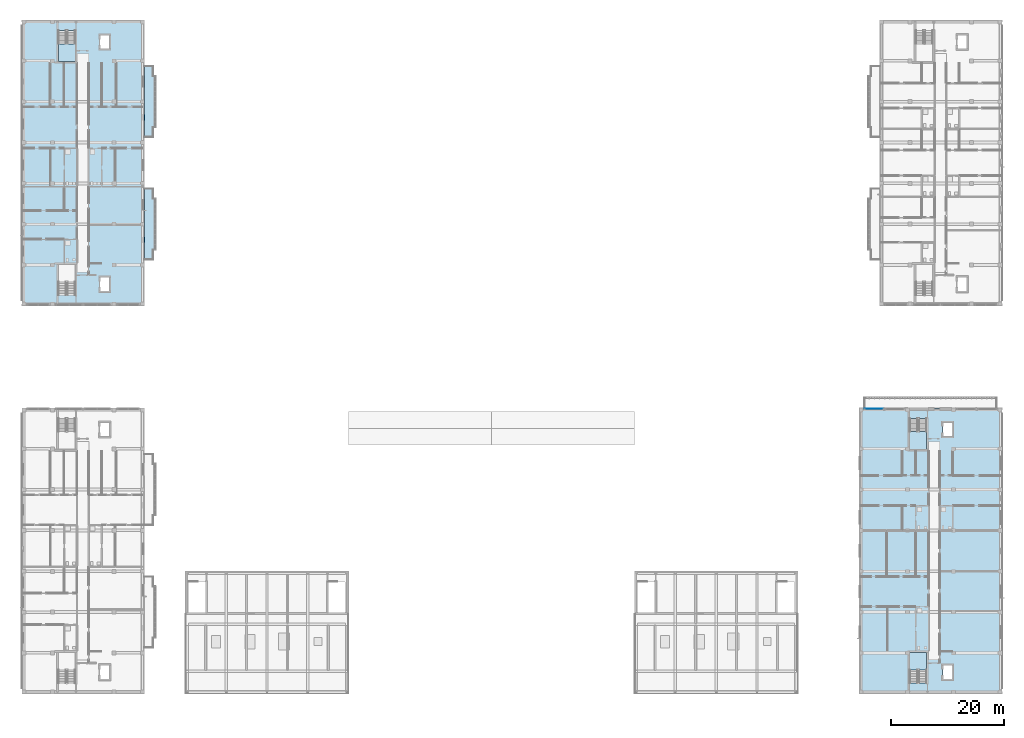
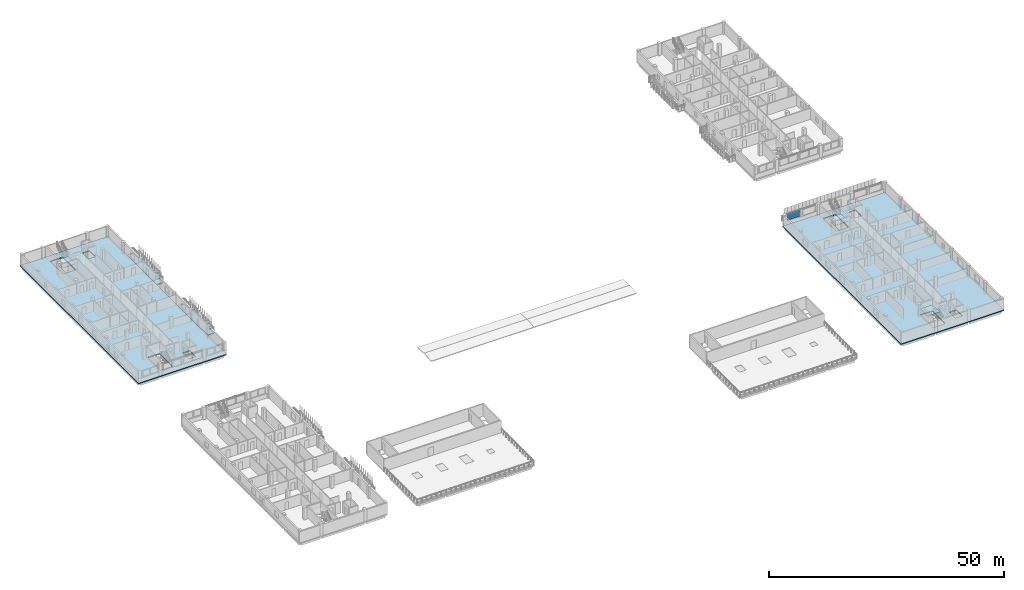
# One storey, part 23 of 56: 7 slabs, 1 plate, 4 elements without a shape of their own.
"""IFC4 building model written with IfcOpenShell, lengths in metres."""

import ifcopenshell
import ifcopenshell.guid

model = None  # the IFC model being written
_history = None  # IfcOwnerHistory: only IFC2X3 demands one
_inside = {}  # id of a spatial element -> (the spatial element, [elements in it])
_under = {}  # id of a project, library or spatial element -> (it, [spatial elements below it])
_declared = {}  # id of a project -> (the project, [libraries it declares])
_typed = {}  # id of a type object -> (the type object, [elements of that type])
_made_of = {}  # id of a material, layer set ... -> (it, [elements and type objects made of it])


def new_model(schema):
    """Start an empty IFC model of exactly this schema.

    Asked for "IFC4X3", IfcOpenShell would pick the latest addendum, in which some entities
    have other attributes; the version numbers below select the first issue.
    IFC2X3 requires an IfcOwnerHistory on every rooted entity: one is made here for all.
    """
    global model, _history
    if schema == "IFC4X3":
        model = ifcopenshell.file(schema_version=(4, 3, 0, 0))
    else:
        model = ifcopenshell.file(schema=schema)
    _inside.clear()
    _under.clear()
    _declared.clear()
    _typed.clear()
    _made_of.clear()
    _history = None
    if model.schema == "IFC2X3":
        org = make("IfcOrganization", Name="unknown")
        user = make(
            "IfcPersonAndOrganization",
            ThePerson=make("IfcPerson", FamilyName="unknown"),
            TheOrganization=org,
        )
        app = make(
            "IfcApplication",
            ApplicationDeveloper=org,
            Version="unknown",
            ApplicationFullName="unknown",
            ApplicationIdentifier="unknown",
        )
        _history = make(
            "IfcOwnerHistory",
            OwningUser=user,
            OwningApplication=app,
            ChangeAction="ADDED",
            CreationDate=0,
        )
    return model


def make(cls, **values):
    """One entity of the class cls with the attributes given. An attribute that is None is left unset."""
    return model.create_entity(
        cls, **{name: value for name, value in values.items() if value is not None}
    )


def rooted(cls, **values):
    """An entity with a GlobalId (a new one), such as an element, a storey or a relation."""
    return make(cls, GlobalId=ifcopenshell.guid.new(), OwnerHistory=_history, **values)


def si_unit(unit_type, name, prefix=None):
    """IfcSIUnit, for example si_unit("LENGTHUNIT", "METRE", prefix="MILLI")."""
    return make("IfcSIUnit", UnitType=unit_type, Prefix=prefix, Name=name)


def derived_unit(unit_type, elements):
    """IfcDerivedUnit: a product of units, each with its exponent."""
    return make(
        "IfcDerivedUnit",
        Elements=[
            make("IfcDerivedUnitElement", Unit=unit, Exponent=power)
            for unit, power in elements
        ],
        UnitType=unit_type,
    )


def assignment(units):
    """IfcUnitAssignment: the units of a project."""
    return None if units is None else make("IfcUnitAssignment", Units=units)


def point(xyz):
    """IfcCartesianPoint."""
    return None if xyz is None else make("IfcCartesianPoint", Coordinates=xyz)


def direction(xyz):
    """IfcDirection."""
    return None if xyz is None else make("IfcDirection", DirectionRatios=xyz)


def frame(location, z_axis=None, x_axis=None):
    """IfcAxis2Placement3D, a coordinate frame: its origin and axes. An axis left out is left unset."""
    return make(
        "IfcAxis2Placement3D",
        Location=point(location),
        Axis=direction(z_axis),
        RefDirection=direction(x_axis),
    )


def frame_2d(location, x_axis=None):
    """IfcAxis2Placement2D, a coordinate frame in the plane: its origin and x axis."""
    return make(
        "IfcAxis2Placement2D", Location=point(location), RefDirection=direction(x_axis)
    )


def origin():
    """The frame at (0, 0, 0) with its axes left unset."""
    return frame((0.0, 0.0, 0.0))


def origin_2d():
    """The frame at (0, 0) in the plane with its x axis left unset."""
    return frame_2d((0.0, 0.0))


def place(relative_to, where):
    """IfcLocalPlacement: puts the frame where relative to a parent placement (None: the world)."""
    return make(
        "IfcLocalPlacement", PlacementRelTo=relative_to, RelativePlacement=where
    )


def context(
    kind, dimensions, precision=None, world=None, true_north=None, identifier=None
):
    """IfcGeometricRepresentationContext, for example the 3D "Model" context."""
    return make(
        "IfcGeometricRepresentationContext",
        ContextIdentifier=identifier,
        ContextType=kind,
        CoordinateSpaceDimension=dimensions,
        Precision=precision,
        WorldCoordinateSystem=world,
        TrueNorth=true_north,
    )


def subcontext(parent, identifier, kind, view, scale=None):
    """IfcGeometricRepresentationSubContext, for example "Body" below "Model"."""
    return make(
        "IfcGeometricRepresentationSubContext",
        ContextIdentifier=identifier,
        ContextType=kind,
        ParentContext=parent,
        TargetScale=scale,
        TargetView=view,
    )


def project(units=None, contexts=None):
    """IfcProject with its units and contexts."""
    return rooted(
        "IfcProject",
        Name="project",
        RepresentationContexts=contexts,
        UnitsInContext=assignment(units),
    )


def spatial(cls, under=None, at=None, **own):
    """A site, building, storey or space (cls), placed at a placement, below another one or the project."""
    s = rooted(cls, ObjectPlacement=at, **own)
    if under is not None:
        _under.setdefault(under.id(), (under, []))[1].append(s)
    return s


def polyline(points):
    """IfcPolyline through the points."""
    return make("IfcPolyline", Points=[point(p) for p in points])


def profile(cls, at=None, kind="AREA", **sizes):
    """A parametric profile (cls). Its sizes go by their IFC names, for example OverallWidth=200.0."""
    return make(cls, ProfileType=kind, Position=at, **sizes)


def rectangle(**sizes):
    """IfcRectangleProfileDef."""
    return profile("IfcRectangleProfileDef", **sizes)


def outline(outer, holes=None, kind="AREA"):
    """IfcArbitraryClosedProfileDef: a profile drawn as a closed curve; with holes, ...WithVoids."""
    if holes is None:
        return make("IfcArbitraryClosedProfileDef", ProfileType=kind, OuterCurve=outer)
    return make(
        "IfcArbitraryProfileDefWithVoids",
        ProfileType=kind,
        OuterCurve=outer,
        InnerCurves=holes,
    )


def extrude(swept, where, along, depth):
    """IfcExtrudedAreaSolid: the profile swept, set in the frame where, extruded along a direction by depth."""
    return make(
        "IfcExtrudedAreaSolid",
        SweptArea=swept,
        Position=where,
        ExtrudedDirection=direction(along),
        Depth=depth,
    )


def shape(context_of_items, identifier, shape_type, items):
    """IfcShapeRepresentation: the items that make up one representation, for example the "Body"."""
    return make(
        "IfcShapeRepresentation",
        ContextOfItems=context_of_items,
        RepresentationIdentifier=identifier,
        RepresentationType=shape_type,
        Items=items,
    )


def material(Name=None, Category=None):
    """IfcMaterial."""
    return make("IfcMaterial", Name=Name, Category=Category)


def layer(
    of_material, thickness, ventilated=None, Name=None, Category=None, Priority=None
):
    """IfcMaterialLayer: one layer of a wall or slab, of a material (None: an air gap)."""
    return make(
        "IfcMaterialLayer",
        Material=of_material,
        LayerThickness=thickness,
        IsVentilated=ventilated,
        Name=Name,
        Category=Category,
        Priority=Priority,
    )


def layer_set(layers, Name=None):
    """IfcMaterialLayerSet."""
    return make("IfcMaterialLayerSet", MaterialLayers=layers, LayerSetName=Name)


def made_of(thing, what):
    """Note that an element or type object is made of a material, layer set ...; save() writes the relation."""
    if what is not None:
        _made_of.setdefault(what.id(), (what, []))[1].append(thing)
    return thing


def type_object(cls, material=None, **own):
    """A type object (cls), such as IfcWallType, which elements share."""
    return made_of(rooted(cls, **own), material)


def element(
    cls,
    number,
    at=None,
    inside=None,
    cuts=None,
    type_object=None,
    material=None,
    context=None,
    identifier="Body",
    shape_type=None,
    held_by="IfcProductDefinitionShape",
    body=None,
    shapes=None,
    **own,
):
    """One element of the class cls, such as IfcWall. Its Tag is "e" and its number.

    at: its placement. inside: the storey or other place that contains it. cuts: it is an
    opening in that element (IfcRelVoidsElement). A single representation is given by context,
    identifier, shape_type and body (its items); several are given by shapes. held_by: the class
    of the entity that holds the representations. save() writes the other relations.
    """
    e = rooted(cls, Tag="e%d" % number, ObjectPlacement=at, **own)
    if body is not None:
        shapes = [shape(context, identifier, shape_type, body)]
    if shapes is not None:
        e.Representation = make(held_by, Representations=shapes)
    if inside is not None:
        _inside.setdefault(inside.id(), (inside, []))[1].append(e)
    if cuts is not None:
        rooted(
            "IfcRelVoidsElement", RelatingBuildingElement=cuts, RelatedOpeningElement=e
        )
    if type_object is not None:
        _typed.setdefault(type_object.id(), (type_object, []))[1].append(e)
    return made_of(e, material)


def aggregate(whole, parts):
    """IfcRelAggregates: a whole, such as a stair, and the parts it consists of."""
    return rooted("IfcRelAggregates", RelatingObject=whole, RelatedObjects=parts)


def save(model, path):
    """Write the relations noted so far, then the file.

    IfcRelAggregates (storeys below a building ...), IfcRelContainedInSpatialStructure (elements
    in a storey), IfcRelDefinesByType, IfcRelAssociatesMaterial and IfcRelDeclares: one each for
    every whole, place, type object, material and project.
    """
    for whole, parts in _under.values():
        aggregate(whole, parts)
    for where, things in _inside.values():
        rooted(
            "IfcRelContainedInSpatialStructure",
            RelatedElements=things,
            RelatingStructure=where,
        )
    for kind, things in _typed.values():
        rooted("IfcRelDefinesByType", RelatedObjects=things, RelatingType=kind)
    for what, things in _made_of.values():
        rooted("IfcRelAssociatesMaterial", RelatedObjects=things, RelatingMaterial=what)
    for by, libraries in _declared.values():
        rooted("IfcRelDeclares", RelatingContext=by, RelatedDefinitions=libraries)
    model.write(path)


model = new_model("IFC4")

# Units and contexts
model_context = context("Model", 3, precision=1e-05, world=origin(), true_north=direction((0.0, 1.0)))
body_context = subcontext(model_context, "Body", "Model", "MODEL_VIEW")
ifc_project = project(units=[si_unit("LENGTHUNIT", "METRE"), si_unit("AREAUNIT", "SQUARE_METRE"), si_unit("VOLUMEUNIT", "CUBIC_METRE"), si_unit("PLANEANGLEUNIT", "RADIAN"), si_unit("MASSUNIT", "GRAM", prefix="KILO"), derived_unit("THERMALTRANSMITTANCEUNIT", [(si_unit("MASSUNIT", "GRAM", prefix="KILO"), 1), (si_unit("TIMEUNIT", "SECOND"), -3), (si_unit("THERMODYNAMICTEMPERATUREUNIT", "KELVIN"), -1)])], contexts=[model_context])

# Site, building, storey
site_placement = place(None, origin())
site = spatial("IfcSite", under=ifc_project, at=site_placement, CompositionType="ELEMENT")
building_placement = place(site_placement, origin())
building = spatial("IfcBuilding", under=site, at=building_placement, Name="Ochrekiln Boulevard Commons", CompositionType="ELEMENT")
storey_placement = place(building_placement, frame((0.0, 0.0, 12.074951171875)))
storey = spatial("IfcBuildingStorey", under=building, at=storey_placement, Name="L03", CompositionType="ELEMENT", Elevation=12.074951171875)

# Curtain wall, plate
ifc_material_1 = material(Name="Bronze-anodized extruded aluminium 6063-T6", Category="aluminium")
ifc_layer_1 = layer(ifc_material_1, 0.18408203125)
ifc_layer_set_1 = layer_set([ifc_layer_1], Name="Bronze-anodized extruded aluminium 6063-T6")
curtain_wall_type = type_object("IfcCurtainWallType", Name="CW-GABLE-B", PredefinedType="USERDEFINED", material=ifc_layer_set_1)
curtain_wall_placement = place(storey_placement, origin())
curtain_wall = element("IfcCurtainWall", 1, at=curtain_wall_placement, inside=storey, type_object=curtain_wall_type, Name="Block C L03 Courtyard Glazed Gable Curtain Wall 1", ObjectType="GLAZED CURTAIN WALL", PredefinedType="USERDEFINED")
ifc_material_2 = material(Name="Spectrally selective low-E insulated glazing", Category="glass")
ifc_layer_2 = layer(ifc_material_2, 0.030029296875)
ifc_layer_set_2 = layer_set([ifc_layer_2], Name="Spectrally selective low-E insulated glazing")
plate_type = type_object("IfcPlateType", Name="CWP-GLZ-2", PredefinedType="CURTAIN_PANEL", material=ifc_layer_set_2)
plate_placement = place(storey_placement, frame((150.2099609375, 50.235107421875, 1.175048828125), z_axis=(0.0, 0.0, 1.0), x_axis=(1.0, 0.0, 0.0)))
plate = element("IfcPlate", 2, at=plate_placement, type_object=plate_type, Name="CW-02 panel 1.1", PredefinedType="CURTAIN_PANEL", context=body_context, shape_type="SweptSolid", body=[
    extrude(rectangle(XDim=3.14990234375, YDim=0.030029296875, at=origin_2d()), origin(), (0.0, 0.0, 1.0), 1.64990234375),
])
aggregate(curtain_wall, [plate])

# Slabs
ifc_material_3 = material(Name="Concrete C35/45", Category="concrete")
ifc_layer_3 = layer(ifc_material_3, 0.219970703125)
ifc_layer_set_3 = layer_set([ifc_layer_3], Name="Concrete C35/45")
slab_type_1 = type_object("IfcSlabType", Name="SLB-BAL-220", PredefinedType="FLOOR", material=ifc_layer_set_3)
slab_1_placement = place(storey_placement, frame((0.0, 0.0, -0.219970703125)))
element("IfcSlab", 3, at=slab_1_placement, inside=storey, type_object=slab_type_1, Name="Block A L03 Planter-Box Balcony Slab 1", PredefinedType="FLOOR", context=body_context, shape_type="SweptSolid", body=[
    extrude(outline(polyline([(21.60009765625, 76.5), (23.14990234375, 76.5), (23.14990234375, 78.300048828125), (23.60009765625, 78.300048828125), (23.60009765625, 87.300048828125), (23.14990234375, 87.300048828125), (23.14990234375, 89.10009765625), (21.60009765625, 89.10009765625), (21.60009765625, 76.5)])), origin(), (0.0, 0.0, 1.0), 0.219970703125),
])
slab_2_placement = place(storey_placement, frame((0.0, 0.0, -0.219970703125)))
element("IfcSlab", 4, at=slab_2_placement, inside=storey, type_object=slab_type_1, Name="Block A L03 Planter-Box Balcony Slab 2", PredefinedType="FLOOR", context=body_context, shape_type="SweptSolid", body=[
    extrude(outline(polyline([(21.60009765625, 98.10009765625), (23.14990234375, 98.10009765625), (23.14990234375, 99.89990234375), (23.60009765625, 99.89990234375), (23.60009765625, 108.89990234375), (23.14990234375, 108.89990234375), (23.14990234375, 110.699951171875), (21.60009765625, 110.699951171875), (21.60009765625, 98.10009765625)])), origin(), (0.0, 0.0, 1.0), 0.219970703125),
])

# Stair, slab
stair_type = type_object("IfcStairType", Name="STR-DL-315", PredefinedType="TWO_STRAIGHT_RUN_STAIR", material=ifc_material_3)
stair_1_placement = place(storey_placement, origin())
stair_1 = element("IfcStair", 5, at=stair_1_placement, inside=storey, type_object=stair_type, Name="L03 Enclosed Exit Stair ST-A2", PredefinedType="TWO_STRAIGHT_RUN_STAIR")
ifc_layer_4 = layer(ifc_material_3, 0.199951171875)
ifc_layer_set_4 = layer_set([ifc_layer_4], Name="Concrete C35/45")
slab_type_2 = type_object("IfcSlabType", Name="SLB-LND-200", PredefinedType="LANDING", material=ifc_layer_set_4)
slab_3_placement = place(storey_placement, frame((0.0, 0.0, 1.375)))
slab_3 = element("IfcSlab", 6, at=slab_3_placement, type_object=slab_type_2, Name="ST-A2 landing 1", PredefinedType="LANDING", context=body_context, shape_type="SweptSolid", body=[
    extrude(outline(polyline([(6.39990234375, 114.610107421875), (6.39990234375, 111.47998046875), (9.39990234375, 111.47998046875), (9.39990234375, 114.610107421875), (6.39990234375, 114.610107421875)])), origin(), (0.0, 0.0, 1.0), 0.199951171875),
])
aggregate(stair_1, [slab_3])

stair_2_placement = place(storey_placement, origin())
stair_2 = element("IfcStair", 7, at=stair_2_placement, inside=storey, type_object=stair_type, Name="L03 Enclosed Exit Stair ST-C1", PredefinedType="TWO_STRAIGHT_RUN_STAIR")
slab_4_placement = place(storey_placement, frame((0.0, 0.0, 1.375)))
slab_4 = element("IfcSlab", 8, at=slab_4_placement, type_object=slab_type_2, Name="ST-C1 landing 1", PredefinedType="LANDING", context=body_context, shape_type="SweptSolid", body=[
    extrude(outline(polyline([(159.5, 4.18994140625), (159.5, 7.320068359375), (156.5, 7.320068359375), (156.5, 4.18994140625), (159.5, 4.18994140625)])), origin(), (0.0, 0.0, 1.0), 0.199951171875),
])
aggregate(stair_2, [slab_4])

stair_3_placement = place(storey_placement, origin())
stair_3 = element("IfcStair", 9, at=stair_3_placement, inside=storey, type_object=stair_type, Name="L03 Enclosed Exit Stair ST-C2", PredefinedType="TWO_STRAIGHT_RUN_STAIR")
slab_5_placement = place(storey_placement, frame((0.0, 0.0, 1.375)))
slab_5 = element("IfcSlab", 10, at=slab_5_placement, type_object=slab_type_2, Name="ST-C2 landing 1", PredefinedType="LANDING", context=body_context, shape_type="SweptSolid", body=[
    extrude(outline(polyline([(156.5, 46.2099609375), (156.5, 43.080078125), (159.5, 43.080078125), (159.5, 46.2099609375), (156.5, 46.2099609375)])), origin(), (0.0, 0.0, 1.0), 0.199951171875),
])
aggregate(stair_3, [slab_5])

# Slabs
ifc_layer_5 = layer(ifc_material_3, 0.260009765625)
ifc_layer_set_5 = layer_set([ifc_layer_5], Name="Concrete C35/45")
slab_type_3 = type_object("IfcSlabType", Name="SLB-RES-260", PredefinedType="FLOOR", material=ifc_layer_set_5)
slab_6_placement = place(storey_placement, frame((0.0, 0.0, -0.260009765625)))
element("IfcSlab", 11, at=slab_6_placement, inside=storey, type_object=slab_type_3, Name="Block A L03 Reinforced Concrete Floor Slab", PredefinedType="FLOOR", context=body_context, shape_type="SweptSolid", body=[
    extrude(outline(polyline([(0.0, 68.39990234375), (21.60009765625, 68.39990234375), (21.60009765625, 118.800048828125), (0.0, 118.800048828125), (0.0, 68.39990234375)]), holes=[polyline([(9.39990234375, 70.2705078125), (9.39990234375, 75.719970703125), (6.39990234375, 75.719970703125), (6.39990234375, 70.2705078125), (9.39990234375, 70.2705078125)]), polyline([(6.39990234375, 116.929443359375), (6.39990234375, 111.47998046875), (9.39990234375, 111.47998046875), (9.39990234375, 116.929443359375), (6.39990234375, 116.929443359375)]), polyline([(13.75, 70.949951171875), (15.449951171875, 70.949951171875), (15.449951171875, 73.449951171875), (13.75, 73.449951171875), (13.75, 70.949951171875)]), polyline([(13.75, 113.64990234375), (15.449951171875, 113.64990234375), (15.449951171875, 116.14990234375), (13.75, 116.14990234375), (13.75, 113.64990234375)])]), origin(), (0.0, 0.0, 1.0), 0.260009765625),
])
slab_7_placement = place(storey_placement, frame((0.0, 0.0, -0.260009765625)))
element("IfcSlab", 12, at=slab_7_placement, inside=storey, type_object=slab_type_3, Name="Block C L03 Reinforced Concrete Floor Slab", PredefinedType="FLOOR", context=body_context, shape_type="SweptSolid", body=[
    extrude(outline(polyline([(147.60009765625, 0.0), (172.800048828125, 0.0), (172.800048828125, 50.39990234375), (147.60009765625, 50.39990234375), (147.60009765625, 0.0)]), holes=[polyline([(159.5, 1.87060546875), (159.5, 7.320068359375), (156.5, 7.320068359375), (156.5, 1.87060546875), (159.5, 1.87060546875)]), polyline([(156.5, 48.529541015625), (156.5, 43.080078125), (159.5, 43.080078125), (159.5, 48.529541015625), (156.5, 48.529541015625)]), polyline([(162.35009765625, 2.550048828125), (164.050048828125, 2.550048828125), (164.050048828125, 5.050048828125), (162.35009765625, 5.050048828125), (162.35009765625, 2.550048828125)]), polyline([(162.35009765625, 45.35009765625), (164.050048828125, 45.35009765625), (164.050048828125, 47.85009765625), (162.35009765625, 47.85009765625), (162.35009765625, 45.35009765625)])]), origin(), (0.0, 0.0, 1.0), 0.260009765625),
])

save(model, "model.ifc")
